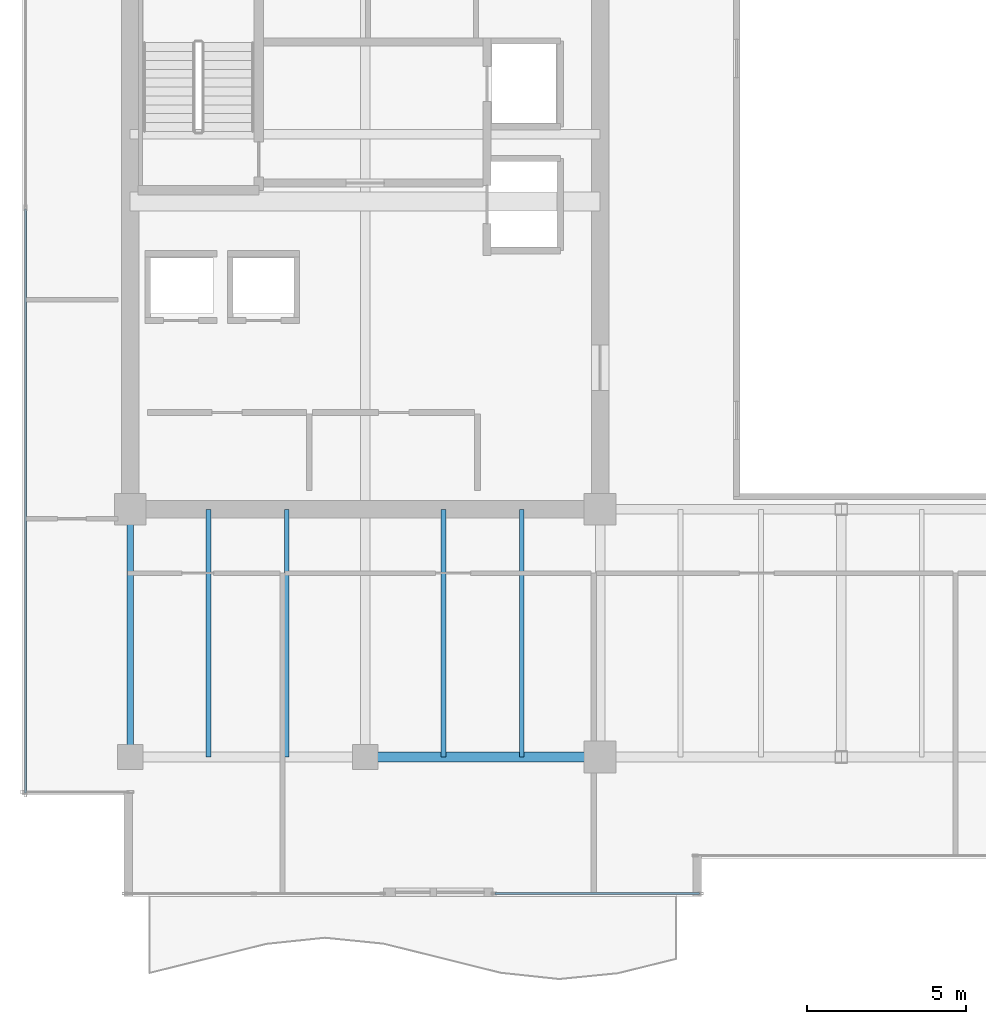
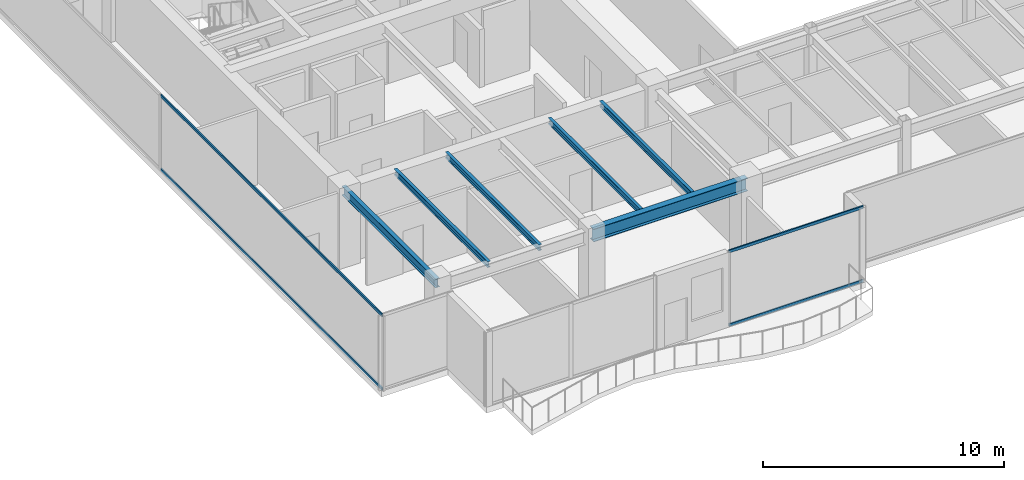
# One storey, part 5 of 34: 6 beams, 4 members, 2 elements without a shape of their own.
"""IFC4 building model written with IfcOpenShell, lengths in metres."""

from ifc_helpers import new_model, si_unit, direction, frame, origin, origin_2d, place, context, subcontext, project, spatial, hollow_rectangle, i_section, extrude, source, transform, mapped, material, layer, layer_set, material_profile, profile_set, type_object, type_shapes, element, aggregate, save


model = new_model("IFC4")

# Units and contexts
model_context = context("Model", 3, precision=1e-05, world=origin(), true_north=direction((0.0, 1.0)))
body_context = subcontext(model_context, "Body", "Model", "MODEL_VIEW")
ifc_project = project(units=[si_unit("LENGTHUNIT", "METRE"), si_unit("AREAUNIT", "SQUARE_METRE"), si_unit("VOLUMEUNIT", "CUBIC_METRE"), si_unit("PLANEANGLEUNIT", "RADIAN"), si_unit("MASSUNIT", "GRAM", prefix="KILO")], contexts=[model_context])

# Site, building, storey
site_placement = place(None, origin())
site = spatial("IfcSite", under=ifc_project, at=site_placement, CompositionType="ELEMENT")
building_placement = place(site_placement, origin())
building = spatial("IfcBuilding", under=site, at=building_placement, Name="Haelvirn Gate Laboratories", CompositionType="ELEMENT")
storey_placement = place(building_placement, frame((0.0, 0.0, 205.5)))
storey = spatial("IfcBuildingStorey", under=building, at=storey_placement, Name="L49", CompositionType="ELEMENT", Elevation=205.5)

# Beams
ifc_material_1 = material(Name="Steel SM355", Category="steel")
ifc_material_profile_1 = material_profile(ifc_material_1, i_section(OverallWidth=0.14990234375, OverallDepth=0.300048828125, WebThickness=0.006591796875, FlangeThickness=0.009033203125, at=origin_2d()), Name="H-300x150x6.5x9")
ifc_profile_set_1 = profile_set([ifc_material_profile_1], Name="Steel SM355")
beam_type_1 = type_object("IfcBeamType", Name="BM-J-300", PredefinedType="JOIST", material=ifc_profile_set_1)
shared_shape_1 = source(origin(), body_context, "Body", "SweptSolid", [
    extrude(i_section(OverallWidth=0.14990234375, OverallDepth=0.300048828125, WebThickness=0.006591796875, FlangeThickness=0.009033203125, at=origin_2d()), origin(), (0.0, 0.0, 1.0), 7.800048828125),
])
type_shapes(beam_type_1, [shared_shape_1])
for number, where, z_axis, x_axis, name in (
    (1, (9.8701171875, 7.0, 3.64990234375), (0.0, 1.0, 0.0), (-1.0, 0.0, 0.0), "L49 Composite Lab Joist South X9.87"),
    (2, (12.330078125, 7.0, 3.64990234375), (0.0, 1.0, 0.0), (-1.0, 0.0, 0.0), "L49 Composite Lab Joist South X12.33"),
    (3, (17.27001953125, 7.0, 3.64990234375), (0.0, 1.0, 0.0), (-1.0, 0.0, 0.0), "L49 Composite Lab Joist South X17.27"),
    (4, (19.72998046875, 7.0, 3.64990234375), (0.0, 1.0, 0.0), (-1.0, 0.0, 0.0), "L49 Composite Lab Joist South X19.73"),
):
    element("IfcBeam", number, at=place(storey_placement, frame(where, z_axis=z_axis, x_axis=x_axis)), inside=storey, type_object=beam_type_1, Name=name, PredefinedType="JOIST", context=body_context, shape_type="MappedRepresentation", body=[
        mapped(shared_shape_1, transform((0.0, 0.0, 0.0), scale=1.0)),
    ])
ifc_material_profile_2 = material_profile(ifc_material_1, i_section(OverallWidth=0.300048828125, OverallDepth=0.64990234375, WebThickness=0.012939453125, FlangeThickness=0.02197265625, at=origin_2d()), Name="H-650x300x13x22")
ifc_profile_set_2 = profile_set([ifc_material_profile_2], Name="Steel SM355")
beam_type_2 = type_object("IfcBeamType", Name="BM-G-650", PredefinedType="BEAM", material=ifc_profile_set_2)
shared_shape_2 = source(origin(), body_context, "Body", "SweptSolid", [
    extrude(i_section(OverallWidth=0.300048828125, OverallDepth=0.64990234375, WebThickness=0.012939453125, FlangeThickness=0.02197265625, at=origin_2d()), origin(), (0.0, 0.0, 1.0), 7.39990234375),
])
type_shapes(beam_type_2, [shared_shape_2])
beam_1_placement = place(storey_placement, frame((14.800048828125, 7.0, 3.47509765625), z_axis=(1.0, 0.0, 0.0), x_axis=(0.0, 1.0, 0.0)))
element("IfcBeam", 5, at=beam_1_placement, inside=storey, type_object=beam_type_2, Name="L49 Primary Girder Y7.0 (14.8-22.2)", PredefinedType="BEAM", context=body_context, shape_type="MappedRepresentation", body=[
    mapped(shared_shape_2, transform((0.0, 0.0, 0.0), scale=1.0)),
])
ifc_material_profile_3 = material_profile(ifc_material_1, i_section(OverallWidth=0.199951171875, OverallDepth=0.449951171875, WebThickness=0.009033203125, FlangeThickness=0.013916015625, at=origin_2d()), Name="H-450x200x9x14")
ifc_profile_set_3 = profile_set([ifc_material_profile_3], Name="Steel SM355")
beam_type_3 = type_object("IfcBeamType", Name="BM-SP-450", PredefinedType="SPANDREL", material=ifc_profile_set_3)
shared_shape_3 = source(origin(), body_context, "Body", "SweptSolid", [
    extrude(i_section(OverallWidth=0.199951171875, OverallDepth=0.449951171875, WebThickness=0.009033203125, FlangeThickness=0.013916015625, at=origin_2d()), origin(), (0.0, 0.0, 1.0), 7.800048828125),
])
type_shapes(beam_type_3, [shared_shape_3])
beam_2_placement = place(storey_placement, frame((7.39990234375, 7.0, 3.574951171875), z_axis=(0.0, 1.0, 0.0), x_axis=(-1.0, 0.0, 0.0)))
element("IfcBeam", 6, at=beam_2_placement, inside=storey, type_object=beam_type_3, Name="L49 Perimeter Spandrel X7.4 (7.0-14.8)", PredefinedType="SPANDREL", context=body_context, shape_type="MappedRepresentation", body=[
    mapped(shared_shape_3, transform((0.0, 0.0, 0.0), scale=1.0)),
])

# Curtain wall, members
ifc_material_2 = material(Name="Anodised bronze unitised aluminium & triple low-E glass", Category="aluminium")
ifc_layer = layer(ifc_material_2, 0.176025390625, Name="CW-SYS-4")
ifc_layer_set = layer_set([ifc_layer], Name="Anodised bronze unitised aluminium & triple low-E glass")
curtain_wall_type = type_object("IfcCurtainWallType", Name="CW-SYS-4", PredefinedType="NOTDEFINED", material=ifc_layer_set)
curtain_wall_1_placement = place(storey_placement, origin())
curtain_wall_1 = element("IfcCurtainWall", 7, at=curtain_wall_1_placement, inside=storey, type_object=curtain_wall_type, Name="L49 Unitised Curtain Wall CW-L49-P0-E17", PredefinedType="NOTDEFINED")
ifc_material_3 = material(Name="Extruded aluminium 6063-T6 (anodised bronze)", Category="aluminium")
ifc_material_profile_4 = material_profile(ifc_material_3, hollow_rectangle(XDim=0.06494140625, YDim=0.139892578125, WallThickness=0.00390625, at=origin_2d()), Name="CWT-140x65x4")
ifc_profile_set_4 = profile_set([ifc_material_profile_4], Name="Extruded aluminium 6063-T6 (anodised bronze)")
member_type = type_object("IfcMemberType", Name="CWT-T140", PredefinedType="USERDEFINED", material=ifc_profile_set_4)
shared_shape_4 = source(origin(), body_context, "Body", "SweptSolid", [
    extrude(hollow_rectangle(XDim=0.06494140625, YDim=0.139892578125, WallThickness=0.00390625, at=origin_2d()), origin(), (0.0, 0.0, 1.0), 18.394775390625),
])
member_1_placement = place(storey_placement, frame((4.10009765625, 24.264892578125, 0.032470703125), z_axis=(0.0, -1.0, 0.0), x_axis=(1.0, 0.0, 0.0)))
member_1 = element("IfcMember", 8, at=member_1_placement, type_object=member_type, Name="CW4 transom 2.1", ObjectType="TRANSOM", PredefinedType="USERDEFINED", context=body_context, shape_type="MappedRepresentation", body=[
    mapped(shared_shape_4, transform((0.0, 0.0, 0.0), scale=1.0)),
])
member_2_placement = place(storey_placement, frame((4.10009765625, 24.264892578125, 3.767578125), z_axis=(0.0, -1.0, 0.0), x_axis=(1.0, 0.0, 0.0)))
member_2 = element("IfcMember", 9, at=member_2_placement, type_object=member_type, Name="CW4 transom 2.2", ObjectType="TRANSOM", PredefinedType="USERDEFINED", context=body_context, shape_type="MappedRepresentation", body=[
    mapped(shared_shape_4, transform((0.0, 0.0, 0.0), scale=1.0)),
])
aggregate(curtain_wall_1, [member_1, member_2])

curtain_wall_2_placement = place(storey_placement, origin())
curtain_wall_2 = element("IfcCurtainWall", 10, at=curtain_wall_2_placement, inside=storey, type_object=curtain_wall_type, Name="L49 Unitised Curtain Wall CW-L49-P0-E00-2", PredefinedType="NOTDEFINED")
shared_shape_5 = source(origin(), body_context, "Body", "SweptSolid", [
    extrude(hollow_rectangle(XDim=0.06494140625, YDim=0.139892578125, WallThickness=0.00390625, at=origin_2d()), origin(), (0.0, 0.0, 1.0), 6.440185546875),
])
type_shapes(member_type, [shared_shape_4, shared_shape_5])
member_3_placement = place(storey_placement, frame((18.889892578125, 2.699951171875, 0.032470703125), z_axis=(1.0, 0.0, 0.0), x_axis=(0.0, 1.0, 0.0)))
member_3 = element("IfcMember", 11, at=member_3_placement, type_object=member_type, Name="CW4 transom 1.1", ObjectType="TRANSOM", PredefinedType="USERDEFINED", context=body_context, shape_type="MappedRepresentation", body=[
    mapped(shared_shape_5, transform((0.0, 0.0, 0.0), scale=1.0)),
])
member_4_placement = place(storey_placement, frame((18.889892578125, 2.699951171875, 3.767578125), z_axis=(1.0, 0.0, 0.0), x_axis=(0.0, 1.0, 0.0)))
member_4 = element("IfcMember", 12, at=member_4_placement, type_object=member_type, Name="CW4 transom 1.2", ObjectType="TRANSOM", PredefinedType="USERDEFINED", context=body_context, shape_type="MappedRepresentation", body=[
    mapped(shared_shape_5, transform((0.0, 0.0, 0.0), scale=1.0)),
])
aggregate(curtain_wall_2, [member_3, member_4])

save(model, "model.ifc")
